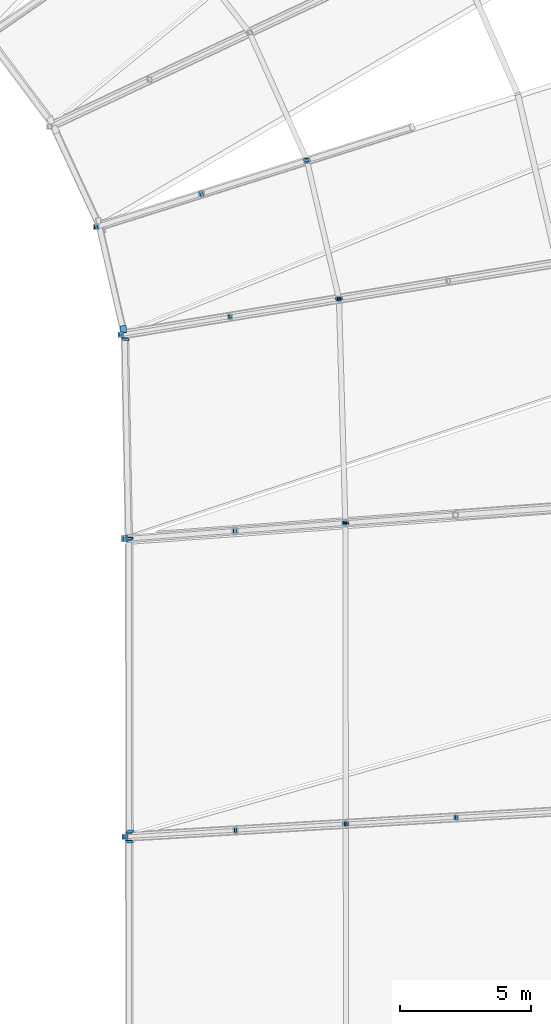
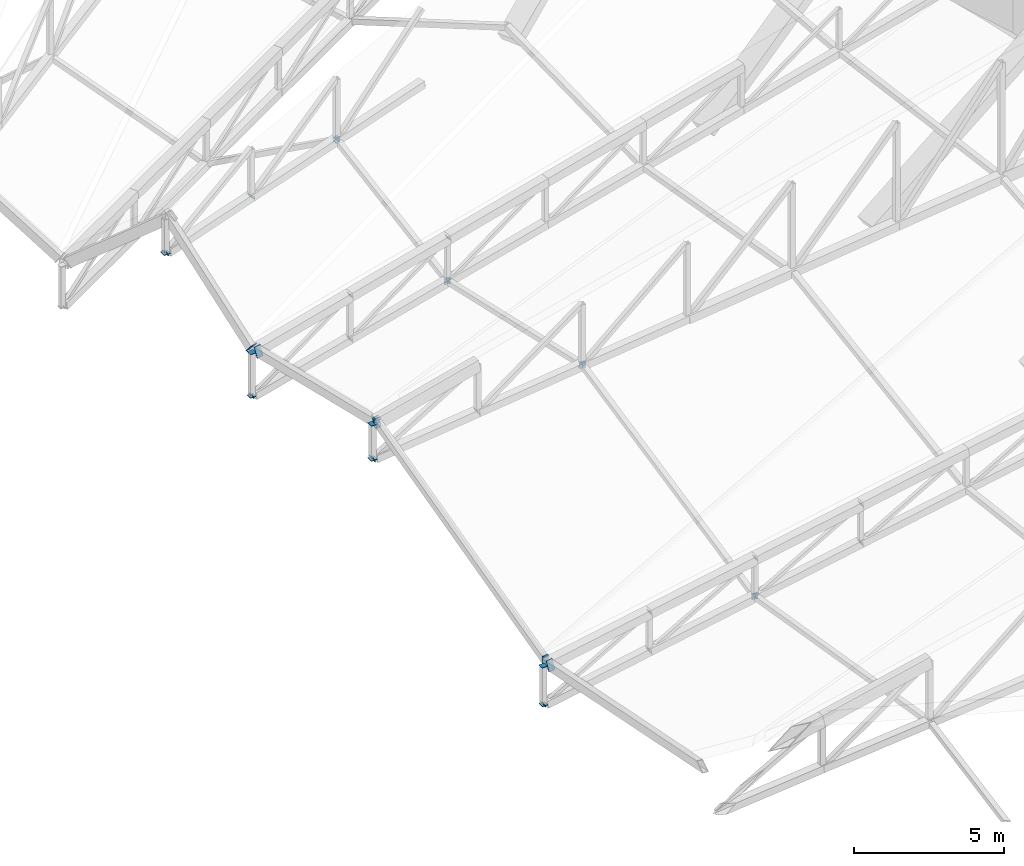
# One storey, part 328 of 344: 39 discrete accessories.
"""IFC4 building model written with IfcOpenShell, lengths in metres."""

from ifc_helpers import new_model, si_unit, direction, frame, origin, origin_2d, place, context, subcontext, project, spatial, rectangle, extrude, material, material_profile, profile_set, type_object, element, save


model = new_model("IFC4")

# Units and contexts
model_context = context("Model", 3, precision=1e-05, world=origin(), true_north=direction((0.0, 1.0)))
body_context = subcontext(model_context, "Body", "Model", "MODEL_VIEW")
ifc_project = project(units=[si_unit("LENGTHUNIT", "METRE"), si_unit("AREAUNIT", "SQUARE_METRE"), si_unit("VOLUMEUNIT", "CUBIC_METRE"), si_unit("PLANEANGLEUNIT", "RADIAN"), si_unit("MASSUNIT", "GRAM", prefix="KILO")], contexts=[model_context])

# Site, building, storey
site_placement = place(None, origin())
site = spatial("IfcSite", under=ifc_project, at=site_placement, CompositionType="ELEMENT")
building_placement = place(site_placement, origin())
building = spatial("IfcBuilding", under=site, at=building_placement, Name="Meseta Stadium", CompositionType="ELEMENT")
storey_placement = place(building_placement, frame((0.0, 0.0, 24.0)))
storey = spatial("IfcBuildingStorey", under=building, at=storey_placement, Name="L04", CompositionType="ELEMENT", Elevation=24.0)

# Discrete accessories
ifc_material_1 = material(Name="Steel S355", Category="steel")
ifc_material_profile_1 = material_profile(ifc_material_1, rectangle(XDim=0.179931640625, YDim=0.179931640625, at=origin_2d()), Name="PL 180x180")
ifc_profile_set_1 = profile_set([ifc_material_profile_1], Name="Steel S355")
discrete_accessory_type_1 = type_object("IfcDiscreteAccessoryType", Name="End plate 180x180x20", PredefinedType="ANCHORPLATE", material=ifc_profile_set_1)
discrete_accessory_1_placement = place(storey_placement, frame((46.97314453125, 28.452392578125, 1.63525390625), z_axis=(0.890906631558, 0.048816801729, 0.451555415995), x_axis=(-0.054712446702, 0.998502152314, 0.0)))
element("IfcDiscreteAccessory", 1, at=discrete_accessory_1_placement, inside=storey, type_object=discrete_accessory_type_1, Name="End plate of ROOF TRUSS RT-07 diagonal", PredefinedType="ANCHORPLATE", context=body_context, shape_type="SweptSolid", body=[
    extrude(rectangle(XDim=0.179931640625, YDim=0.179931640625, at=origin_2d()), origin(), (0.0, 0.0, 1.0), 0.02001953125),
])
discrete_accessory_2_placement = place(storey_placement, frame((51.205810546875, 28.700927734375, 3.771728515625), z_axis=(0.892798292924, 0.060324208981, 0.446399146462), x_axis=(-0.067413857992, 0.997725098286, 0.0)))
element("IfcDiscreteAccessory", 2, at=discrete_accessory_2_placement, inside=storey, type_object=discrete_accessory_type_1, Name="End plate of ROOF TRUSS RT-07 diagonal", PredefinedType="ANCHORPLATE", context=body_context, shape_type="SweptSolid", body=[
    extrude(rectangle(XDim=0.179931640625, YDim=0.179931640625, at=origin_2d()), origin(), (0.0, 0.0, 1.0), 0.020263671875),
])
discrete_accessory_3_placement = place(storey_placement, frame((51.18798828125, 28.699951171875, 2.208251953125), z_axis=(0.895789814442, 0.049084373394, 0.441759360547), x_axis=(-0.054712446702, 0.998502152314, 0.0)))
element("IfcDiscreteAccessory", 3, at=discrete_accessory_3_placement, inside=storey, type_object=discrete_accessory_type_1, Name="End plate of ROOF TRUSS RT-07 diagonal", PredefinedType="ANCHORPLATE", context=body_context, shape_type="SweptSolid", body=[
    extrude(rectangle(XDim=0.179931640625, YDim=0.179931640625, at=origin_2d()), origin(), (0.0, 0.0, 1.0), 0.019775390625),
])
for number, where, z_axis, x_axis, name in (
    (4, (55.4208984375, 28.94873046875, 4.344482421875), (0.890906631558, 0.048816801729, 0.451555415995), (-0.054712446702, 0.998502152314, 0.0), "End plate of ROOF TRUSS RT-07 diagonal"),
    (5, (55.403076171875, 28.947509765625, 2.781005859375), (0.890310108805, 0.060980144439, 0.451253068847), (-0.068333052409, 0.997662565173, 0.0), "End plate of ROOF TRUSS RT-07 diagonal"),
    (6, (59.6357421875, 29.1962890625, 4.91748046875), (0.890906631558, 0.048816801729, 0.451555415995), (-0.054712446702, 0.998502152314, 0.0), "End plate of ROOF TRUSS RT-07 diagonal"),
    (7, (59.617919921875, 29.195068359375, 3.353759765625), (0.890310108805, 0.060980144439, 0.451253068847), (-0.068333052409, 0.997662565173, 0.0), "End plate of ROOF TRUSS RT-07 diagonal"),
    (8, (46.811767578125, 47.630615234375, 2.62548828125), (0.874931437699, 0.145821906283, 0.461769369896), (-0.164398987305, 0.986393923832, 0.0), "End plate of ROOF TRUSS RT-09 diagonal"),
):
    element("IfcDiscreteAccessory", number, at=place(storey_placement, frame(where, z_axis=z_axis, x_axis=x_axis)), inside=storey, type_object=discrete_accessory_type_1, Name=name, PredefinedType="ANCHORPLATE", context=body_context, shape_type="SweptSolid", body=[
        extrude(rectangle(XDim=0.179931640625, YDim=0.179931640625, at=origin_2d()), origin(), (0.0, 0.0, 1.0), 0.02001953125),
    ])
discrete_accessory_4_placement = place(storey_placement, frame((50.99560546875, 48.31884765625, 4.854248046875), z_axis=(0.872035849523, 0.147386340765, 0.466723412421), x_axis=(-0.166650593889, 0.986016013844, 0.0)))
element("IfcDiscreteAccessory", 9, at=discrete_accessory_4_placement, inside=storey, type_object=discrete_accessory_type_1, Name="End plate of ROOF TRUSS RT-09 diagonal", PredefinedType="ANCHORPLATE", context=body_context, shape_type="SweptSolid", body=[
    extrude(rectangle(XDim=0.179931640625, YDim=0.179931640625, at=origin_2d()), origin(), (0.0, 0.0, 1.0), 0.019775390625),
])
discrete_accessory_5_placement = place(storey_placement, frame((50.97802734375, 48.31591796875, 3.088134765625), z_axis=(0.874931437699, 0.145821906283, 0.461769369896), x_axis=(-0.164398987305, 0.986393923832, 0.0)))
element("IfcDiscreteAccessory", 10, at=discrete_accessory_5_placement, inside=storey, type_object=discrete_accessory_type_1, Name="End plate of ROOF TRUSS RT-09 diagonal", PredefinedType="ANCHORPLATE", context=body_context, shape_type="SweptSolid", body=[
    extrude(rectangle(XDim=0.179931640625, YDim=0.179931640625, at=origin_2d()), origin(), (0.0, 0.0, 1.0), 0.02001953125),
])
discrete_accessory_6_placement = place(storey_placement, frame((55.161865234375, 49.004150390625, 5.317138671875), z_axis=(0.872035849523, 0.147386340765, 0.466723412421), x_axis=(-0.166650593889, 0.986016013844, 0.0)))
element("IfcDiscreteAccessory", 11, at=discrete_accessory_6_placement, inside=storey, type_object=discrete_accessory_type_1, Name="End plate of ROOF TRUSS RT-09 diagonal", PredefinedType="ANCHORPLATE", context=body_context, shape_type="SweptSolid", body=[
    extrude(rectangle(XDim=0.179931640625, YDim=0.179931640625, at=origin_2d()), origin(), (0.0, 0.0, 1.0), 0.019775390625),
])
discrete_accessory_7_placement = place(storey_placement, frame((55.144287109375, 49.001220703125, 3.551025390625), z_axis=(0.874931437699, 0.145821906283, 0.461769369896), x_axis=(-0.164398987305, 0.986393923832, 0.0)))
element("IfcDiscreteAccessory", 12, at=discrete_accessory_7_placement, inside=storey, type_object=discrete_accessory_type_1, Name="End plate of ROOF TRUSS RT-09 diagonal", PredefinedType="ANCHORPLATE", context=body_context, shape_type="SweptSolid", body=[
    extrude(rectangle(XDim=0.179931640625, YDim=0.179931640625, at=origin_2d()), origin(), (0.0, 0.0, 1.0), 0.02001953125),
])
ifc_material_2 = material(Name="Steel S355", Category="steel")
ifc_material_profile_2 = material_profile(ifc_material_2, rectangle(XDim=0.219970703125, YDim=0.219970703125, at=origin_2d()), Name="PL 220x220")
ifc_profile_set_2 = profile_set([ifc_material_profile_2], Name="Steel S355")
discrete_accessory_type_2 = type_object("IfcDiscreteAccessoryType", Name="End plate 220x220x20", PredefinedType="ANCHORPLATE", material=ifc_profile_set_2)
for number, where, z_axis, x_axis, name in (
    (13, (46.990966796875, 28.453369140625, 1.624267578125), (0.0, 0.0, 1.0), (1.0, 0.0, 0.0), "End plate of ROOF TRUSS RT-07 post"),
    (14, (46.990966796875, 28.453369140625, 3.198974609375), (0.0, 0.0, 1.0), (1.0, 0.0, 0.0), "End plate of ROOF TRUSS RT-07 post"),
    (15, (46.964599609375, 39.8330078125, 4.746826171875), (0.88538524467, 0.060642824977, 0.460885469828), (-0.068333052409, 0.997662565173, 0.0), "End plate of ROOF TRUSS RT-08 diagonal"),
    (16, (51.177001953125, 40.135986328125, 4.997314453125), (0.832368835513, 0.061203590847, 0.550832317619), (-0.073331443036, 0.99730762529, 0.0), "End plate of ROOF TRUSS RT-08 diagonal"),
    (17, (55.38916015625, 40.439208984375, 5.248046875), (0.791682769845, 0.048718939683, 0.608986746035), (-0.061422268918, 0.998111869923, 0.0), "End plate of ROOF TRUSS RT-08 diagonal"),
    (18, (46.829345703125, 47.633544921875, 2.61474609375), (0.0, 0.0, 1.0), (1.0, 0.0, 0.0), "End plate of ROOF TRUSS RT-09 post"),
):
    element("IfcDiscreteAccessory", number, at=place(storey_placement, frame(where, z_axis=z_axis, x_axis=x_axis)), inside=storey, type_object=discrete_accessory_type_2, Name=name, PredefinedType="ANCHORPLATE", context=body_context, shape_type="SweptSolid", body=[
        extrude(rectangle(XDim=0.219970703125, YDim=0.219970703125, at=origin_2d()), origin(), (0.0, 0.0, 1.0), 0.02001953125),
    ])
discrete_accessory_8_placement = place(storey_placement, frame((46.829345703125, 47.633544921875, 4.3916015625), z_axis=(0.0, 0.0, 1.0), x_axis=(1.0, 0.0, 0.0)))
element("IfcDiscreteAccessory", 19, at=discrete_accessory_8_placement, inside=storey, type_object=discrete_accessory_type_2, Name="End plate of ROOF TRUSS RT-09 post", PredefinedType="ANCHORPLATE", context=body_context, shape_type="SweptSolid", body=[
    extrude(rectangle(XDim=0.219970703125, YDim=0.219970703125, at=origin_2d()), origin(), (0.0, 0.0, 1.0), 0.019775390625),
])
discrete_accessory_9_placement = place(storey_placement, frame((45.8662109375, 51.743896484375, 6.28515625), z_axis=(0.859675052741, 0.266378185356, 0.435891576038), x_axis=(-0.295976029358, 0.955195367475, 0.0)))
element("IfcDiscreteAccessory", 20, at=discrete_accessory_9_placement, inside=storey, type_object=discrete_accessory_type_2, Name="End plate of ROOF TRUSS RT-10 diagonal", PredefinedType="ANCHORPLATE", context=body_context, shape_type="SweptSolid", body=[
    extrude(rectangle(XDim=0.219970703125, YDim=0.219970703125, at=origin_2d()), origin(), (0.0, 0.0, 1.0), 0.020263671875),
])
for number, where, z_axis, x_axis, name in (
    (21, (49.8935546875, 53.015380859375, 6.406005859375), (0.809587449693, 0.25759600672, 0.527458489951), (-0.303203657277, 0.952925780013, 0.0), "End plate of ROOF TRUSS RT-10 diagonal"),
    (22, (53.920654296875, 54.287109375, 6.527099609375), (0.765678081616, 0.243072406862, 0.595527396813), (-0.302579132427, 0.953124267145, 0.0), "End plate of ROOF TRUSS RT-10 diagonal"),
):
    element("IfcDiscreteAccessory", number, at=place(storey_placement, frame(where, z_axis=z_axis, x_axis=x_axis)), inside=storey, type_object=discrete_accessory_type_2, Name=name, PredefinedType="ANCHORPLATE", context=body_context, shape_type="SweptSolid", body=[
        extrude(rectangle(XDim=0.219970703125, YDim=0.219970703125, at=origin_2d()), origin(), (0.0, 0.0, 1.0), 0.02001953125),
    ])
ifc_material_3 = material(Name="Steel S355", Category="steel")
ifc_material_profile_3 = material_profile(ifc_material_3, rectangle(XDim=0.239990234375, YDim=0.239990234375, at=origin_2d()), Name="PL 240x240")
ifc_profile_set_3 = profile_set([ifc_material_profile_3], Name="Steel S355")
discrete_accessory_type_3 = type_object("IfcDiscreteAccessoryType", Name="End plate 240x240x20", PredefinedType="ANCHORPLATE", material=ifc_profile_set_3)
for number, where, z_axis, x_axis, name in (
    (23, (46.982421875, 39.834228515625, 4.736083984375), (0.0, 0.0, 1.0), (1.0, 0.0, 0.0), "End plate of ROOF TRUSS RT-08 post"),
    (24, (46.982421875, 39.834228515625, 6.156005859375), (0.0, 0.0, 1.0), (1.0, 0.0, 0.0), "End plate of ROOF TRUSS RT-08 post"),
    (25, (45.883544921875, 51.749267578125, 6.27392578125), (0.0, 0.0, 1.0), (1.0, 0.0, 0.0), "End plate of ROOF TRUSS RT-10 post"),
):
    element("IfcDiscreteAccessory", number, at=place(storey_placement, frame(where, z_axis=z_axis, x_axis=x_axis)), inside=storey, type_object=discrete_accessory_type_3, Name=name, PredefinedType="ANCHORPLATE", context=body_context, shape_type="SweptSolid", body=[
        extrude(rectangle(XDim=0.239990234375, YDim=0.239990234375, at=origin_2d()), origin(), (0.0, 0.0, 1.0), 0.02001953125),
    ])
discrete_accessory_10_placement = place(storey_placement, frame((55.4208984375, 28.94873046875, 2.7900390625), z_axis=(0.0, 0.985030467156, -0.172380331752), x_axis=(-1.0, 0.0, 0.0)))
element("IfcDiscreteAccessory", 26, at=discrete_accessory_10_placement, inside=storey, type_object=discrete_accessory_type_3, Name="End plate of ROOF TRUSS STRUT RT-06/07", PredefinedType="ANCHORPLATE", context=body_context, shape_type="SweptSolid", body=[
    extrude(rectangle(XDim=0.239990234375, YDim=0.239990234375, at=origin_2d()), origin(), (0.0, 0.0, 1.0), 0.019775390625),
])
discrete_accessory_11_placement = place(storey_placement, frame((55.4208984375, 28.928955078125, 2.785888671875), z_axis=(0.0, 0.978677791195, 0.205401511732), x_axis=(-1.0, 0.0, 0.0)))
element("IfcDiscreteAccessory", 27, at=discrete_accessory_11_placement, inside=storey, type_object=discrete_accessory_type_3, Name="End plate of ROOF TRUSS STRUT RT-07/08", PredefinedType="ANCHORPLATE", context=body_context, shape_type="SweptSolid", body=[
    extrude(rectangle(XDim=0.239990234375, YDim=0.239990234375, at=origin_2d()), origin(), (0.0, 0.0, 1.0), 0.020263671875),
])
for number, where, z_axis, x_axis, name in (
    (28, (55.405029296875, 40.440185546875, 5.26025390625), (0.0, 0.975609756098, 0.219512195122), (-1.0, 0.0, 0.0), "End plate of ROOF TRUSS STRUT RT-07/08"),
    (29, (55.405517578125, 40.420654296875, 5.26416015625), (-0.02450715407, 0.980286162792, -0.196057232558), (-0.999687646408, -0.02499219116, 0.0), "End plate of ROOF TRUSS STRUT RT-08/09"),
    (30, (55.161865234375, 49.004150390625, 3.560302734375), (-0.036746939796, 0.979918394569, -0.195983678914), (-0.999297615709, -0.037473660589, 0.0), "End plate of ROOF TRUSS STRUT RT-08/09"),
    (31, (55.165771484375, 48.987060546875, 3.55078125), (-0.195807487378, 0.856657757278, 0.477280750483), (-0.974858506572, -0.222824801502, 0.0), "End plate of ROOF TRUSS STRUT RT-09/10"),
    (32, (53.93603515625, 54.2919921875, 6.5390625), (-0.194659302196, 0.851634447106, 0.486648255489), (-0.974858506572, -0.222824801502, 0.0), "End plate of ROOF TRUSS STRUT RT-09/10"),
):
    element("IfcDiscreteAccessory", number, at=place(storey_placement, frame(where, z_axis=z_axis, x_axis=x_axis)), inside=storey, type_object=discrete_accessory_type_3, Name=name, PredefinedType="ANCHORPLATE", context=body_context, shape_type="SweptSolid", body=[
        extrude(rectangle(XDim=0.239990234375, YDim=0.239990234375, at=origin_2d()), origin(), (0.0, 0.0, 1.0), 0.02001953125),
    ])
discrete_accessory_12_placement = place(storey_placement, frame((53.943115234375, 54.276123046875, 6.54931640625), z_axis=(-0.350903456416, 0.786507747139, -0.508205005844), x_axis=(-0.913231249272, -0.407441634291, 0.0)))
element("IfcDiscreteAccessory", 33, at=discrete_accessory_12_placement, inside=storey, type_object=discrete_accessory_type_3, Name="End plate of ROOF TRUSS STRUT RT-10/11", PredefinedType="ANCHORPLATE", context=body_context, shape_type="SweptSolid", body=[
    extrude(rectangle(XDim=0.239990234375, YDim=0.239990234375, at=origin_2d()), origin(), (0.0, 0.0, 1.0), 0.020263671875),
])
ifc_material_4 = material(Name="Steel S355", Category="steel")
ifc_material_profile_4 = material_profile(ifc_material_4, rectangle(XDim=0.239990234375, YDim=0.43994140625, at=origin_2d()), Name="PL 240x440")
ifc_profile_set_4 = profile_set([ifc_material_profile_4], Name="Steel S355")
discrete_accessory_type_4 = type_object("IfcDiscreteAccessoryType", Name="End plate 240x440x20", PredefinedType="ANCHORPLATE", material=ifc_profile_set_4)
discrete_accessory_13_placement = place(storey_placement, frame((47.16162109375, 28.26806640625, 3.2763671875), z_axis=(0.0, 0.981043742203, -0.193786418213), x_axis=(-0.989692059402, -0.027752507111, -0.140497067247)))
element("IfcDiscreteAccessory", 34, at=discrete_accessory_13_placement, inside=storey, type_object=discrete_accessory_type_4, Name="End plate of TIP RING BEAM 07", PredefinedType="ANCHORPLATE", context=body_context, shape_type="SweptSolid", body=[
    extrude(rectangle(XDim=0.239990234375, YDim=0.43994140625, at=origin_2d()), origin(), (0.0, 0.0, 1.0), 0.020263671875),
])
discrete_accessory_14_placement = place(storey_placement, frame((47.171630859375, 28.64013671875, 3.284912109375), z_axis=(-0.012232473101, 0.966365375004, 0.256881935128), x_axis=(-0.986911025292, 0.029645021238, -0.158517509672)))
element("IfcDiscreteAccessory", 35, at=discrete_accessory_14_placement, inside=storey, type_object=discrete_accessory_type_4, Name="End plate of TIP RING BEAM 08", PredefinedType="ANCHORPLATE", context=body_context, shape_type="SweptSolid", body=[
    extrude(rectangle(XDim=0.239990234375, YDim=0.43994140625, at=origin_2d()), origin(), (0.0, 0.0, 1.0), 0.02001953125),
])
discrete_accessory_15_placement = place(storey_placement, frame((47.1630859375, 39.827392578125, 6.164794921875), z_axis=(0.0, 0.969416374533, 0.24542186697), x_axis=(-0.986456744681, 0.04025449149, -0.159005241386)))
element("IfcDiscreteAccessory", 36, at=discrete_accessory_15_placement, inside=storey, type_object=discrete_accessory_type_4, Name="End plate of TIP RING BEAM 08", PredefinedType="ANCHORPLATE", context=body_context, shape_type="SweptSolid", body=[
    extrude(rectangle(XDim=0.239990234375, YDim=0.43994140625, at=origin_2d()), origin(), (0.0, 0.0, 1.0), 0.019775390625),
])
for number, where, z_axis, x_axis, name in (
    (37, (47.150390625, 39.840576171875, 6.1650390625), (-0.024446662853, 0.977866514136, -0.207796634254), (-0.989394764004, -0.053436197007, -0.135065072504), "End plate of TIP RING BEAM 09"),
    (38, (47.000732421875, 47.464111328125, 4.472412109375), (-0.012194215217, 0.97553721736, -0.219495873906), (-0.989965025363, -0.042684713423, -0.13471178047), "End plate of TIP RING BEAM 09"),
):
    element("IfcDiscreteAccessory", number, at=place(storey_placement, frame(where, z_axis=z_axis, x_axis=x_axis)), inside=storey, type_object=discrete_accessory_type_4, Name=name, PredefinedType="ANCHORPLATE", context=body_context, shape_type="SweptSolid", body=[
        extrude(rectangle(XDim=0.239990234375, YDim=0.43994140625, at=origin_2d()), origin(), (0.0, 0.0, 1.0), 0.02001953125),
    ])
discrete_accessory_16_placement = place(storey_placement, frame((46.9248046875, 47.8310546875, 4.436279296875), z_axis=(-0.171795306879, 0.760807787608, 0.625825760774), x_axis=(-0.983034147864, -0.173836143699, -0.058522297269)))
element("IfcDiscreteAccessory", 39, at=discrete_accessory_16_placement, inside=storey, type_object=discrete_accessory_type_4, Name="End plate of TIP RING BEAM 10", PredefinedType="ANCHORPLATE", context=body_context, shape_type="SweptSolid", body=[
    extrude(rectangle(XDim=0.239990234375, YDim=0.43994140625, at=origin_2d()), origin(), (0.0, 0.0, 1.0), 0.019775390625),
])

save(model, "model.ifc")
